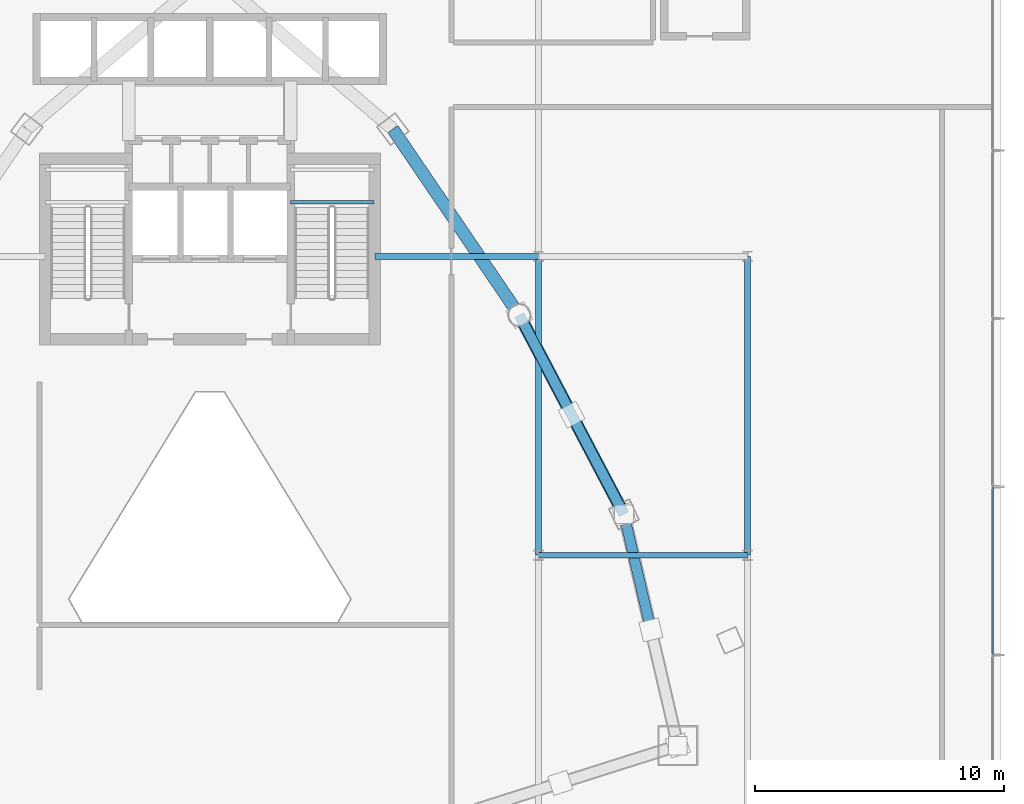
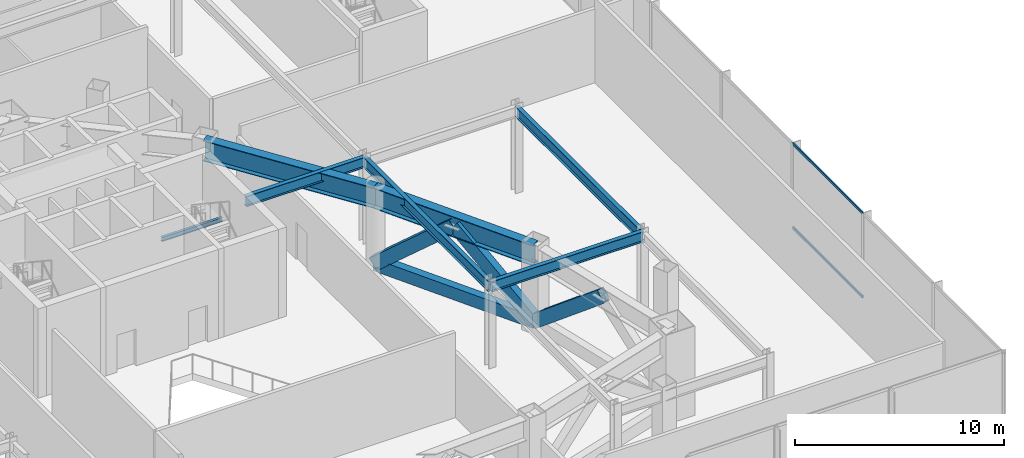
# One storey, part 18 of 43: 7 beams, 6 members, 1 element without a shape of its own.
"""IFC4 building model written with IfcOpenShell, lengths in metres."""

from ifc_helpers import new_model, si_unit, direction, frame, origin, origin_2d, place, context, subcontext, project, spatial, hollow_rectangle, i_section, extrude, material, layer, layer_set, material_profile, profile_set, type_object, element, aggregate, save


model = new_model("IFC4")

# Units and contexts
model_context = context("Model", 3, precision=1e-05, world=origin(), true_north=direction((0.0, 1.0)))
body_context = subcontext(model_context, "Body", "Model", "MODEL_VIEW")
ifc_project = project(units=[si_unit("LENGTHUNIT", "METRE"), si_unit("AREAUNIT", "SQUARE_METRE"), si_unit("VOLUMEUNIT", "CUBIC_METRE"), si_unit("PLANEANGLEUNIT", "RADIAN"), si_unit("MASSUNIT", "GRAM", prefix="KILO")], contexts=[model_context])

# Site, building, storey
site_placement = place(None, origin())
site = spatial("IfcSite", under=ifc_project, at=site_placement, CompositionType="ELEMENT")
building_placement = place(site_placement, origin())
building = spatial("IfcBuilding", under=site, at=building_placement, Name="Orvanel Arch Residences", CompositionType="ELEMENT")
storey_placement = place(building_placement, frame((0.0, 0.0, 18.39990234375)))
storey = spatial("IfcBuildingStorey", under=building, at=storey_placement, Name="L04", CompositionType="ELEMENT", Elevation=18.39990234375)

# Beams
ifc_material_1 = material(Name="Structural steel AS/NZS 3679.1 Grade 300 (300 MPa)", Category="steel")
ifc_material_profile_1 = material_profile(ifc_material_1, i_section(OverallWidth=0.22900390625, OverallDepth=0.612060546875, WebThickness=0.011962890625, FlangeThickness=0.01953125, at=origin_2d()), Name="610UB125")
ifc_profile_set_1 = profile_set([ifc_material_profile_1], Name="Structural steel AS/NZS 3679.1 Grade 300 (300 MPa)")
beam_type_1 = type_object("IfcBeamType", Name="BG-610UB", PredefinedType="BEAM", material=ifc_profile_set_1)
beam_1_placement = place(storey_placement, frame((46.199951171875, 18.0, 4.654052734375), z_axis=(1.0, 0.0, 0.0), x_axis=(0.0, 1.0, 0.0)))
element("IfcBeam", 1, at=beam_1_placement, inside=storey, type_object=beam_type_1, Name="L04 BG-610UB beam", PredefinedType="BEAM", context=body_context, shape_type="SweptSolid", body=[
    extrude(i_section(OverallWidth=0.22900390625, OverallDepth=0.612060546875, WebThickness=0.011962890625, FlangeThickness=0.01953125, at=origin_2d()), origin(), (0.0, 0.0, 1.0), 8.400146484375),
])
beam_2_placement = place(storey_placement, frame((39.625, 30.0, 4.654052734375), z_axis=(1.0, 0.0, 0.0), x_axis=(0.0, 1.0, 0.0)))
element("IfcBeam", 2, at=beam_2_placement, inside=storey, type_object=beam_type_1, Name="L04 BG-610UB beam", PredefinedType="BEAM", context=body_context, shape_type="SweptSolid", body=[
    extrude(i_section(OverallWidth=0.22900390625, OverallDepth=0.612060546875, WebThickness=0.011962890625, FlangeThickness=0.01953125, at=origin_2d()), origin(), (0.0, 0.0, 1.0), 6.574951171875),
])
for number, where, z_axis, x_axis, name in (
    (3, (46.199951171875, 18.0, 4.654052734375), (0.0, 1.0, 0.0), (-1.0, 0.0, 0.0), "L04 North-South Podium Girder XE46-M"),
    (4, (54.60009765625, 18.0, 4.654052734375), (0.0, 1.0, 0.0), (-1.0, 0.0, 0.0), "L04 North-South Podium Girder XE55-M"),
):
    element("IfcBeam", number, at=place(storey_placement, frame(where, z_axis=z_axis, x_axis=x_axis)), inside=storey, type_object=beam_type_1, Name=name, PredefinedType="BEAM", context=body_context, shape_type="SweptSolid", body=[
        extrude(i_section(OverallWidth=0.22900390625, OverallDepth=0.612060546875, WebThickness=0.011962890625, FlangeThickness=0.01953125, at=origin_2d()), origin(), (0.0, 0.0, 1.0), 12.0),
    ])
ifc_material_profile_2 = material_profile(ifc_material_1, i_section(OverallWidth=0.14599609375, OverallDepth=0.251953125, WebThickness=0.006103515625, FlangeThickness=0.008544921875, at=origin_2d()), Name="250UB31.4")
ifc_profile_set_2 = profile_set([ifc_material_profile_2], Name="Structural steel AS/NZS 3679.1 Grade 300 (300 MPa)")
beam_type_2 = type_object("IfcBeamType", Name="BJ-250UB", PredefinedType="JOIST", material=ifc_profile_set_2)
beam_3_placement = place(storey_placement, frame((36.25, 32.179931640625, 2.274169921875), z_axis=(1.0, 0.0, 0.0), x_axis=(0.0, 1.0, 0.0)))
element("IfcBeam", 5, at=beam_3_placement, inside=storey, type_object=beam_type_2, Name="L04 ST-2 Half-Landing Support Beam 1.1", PredefinedType="JOIST", context=body_context, shape_type="SweptSolid", body=[
    extrude(i_section(OverallWidth=0.14599609375, OverallDepth=0.251953125, WebThickness=0.006103515625, FlangeThickness=0.008544921875, at=origin_2d()), origin(), (0.0, 0.0, 1.0), 3.35009765625),
])

# Members
ifc_material_2 = material(Name="Structural steel AS/NZS 3678 Grade 350", Category="steel")
ifc_material_profile_3 = material_profile(ifc_material_2, hollow_rectangle(XDim=0.419921875, YDim=0.719970703125, WallThickness=0.02490234375, at=origin_2d()), Name="RHS720x420x25")
ifc_profile_set_3 = profile_set([ifc_material_profile_3], Name="Structural steel AS/NZS 3678 Grade 350")
member_type_1 = type_object("IfcMemberType", Name="BR-720RHS", PredefinedType="BRACE", material=ifc_profile_set_3)
member_1_placement = place(storey_placement, frame((49.633056640625, 19.64208984375, 0.4501953125), z_axis=(0.17575614743, -0.753138842569, 0.633949257003), x_axis=(0.973834413485, 0.227258740454, 0.0)))
element("IfcMember", 6, at=member_1_placement, inside=storey, type_object=member_type_1, Name="L04 Transfer Truss Chevron Web 05.2", PredefinedType="BRACE", context=body_context, shape_type="SweptSolid", body=[
    extrude(hollow_rectangle(XDim=0.419921875, YDim=0.719970703125, WallThickness=0.02490234375, at=origin_2d()), origin(), (0.0, 0.0, 1.0), 6.16748046875),
])
member_2_placement = place(storey_placement, frame((49.633056640625, 19.64208984375, 0.4501953125), z_axis=(-0.351637815677, 0.669443873118, 0.654366676513), x_axis=(-0.885300033521, -0.465020269072, 0.0)))
element("IfcMember", 7, at=member_2_placement, inside=storey, type_object=member_type_1, Name="L04 Transfer Truss Chevron Web 06.1", PredefinedType="BRACE", context=body_context, shape_type="SweptSolid", body=[
    extrude(hollow_rectangle(XDim=0.419921875, YDim=0.719970703125, WallThickness=0.02490234375, at=origin_2d()), origin(), (0.0, 0.0, 1.0), 5.97509765625),
])
member_3_placement = place(storey_placement, frame((45.430908203125, 27.64111328125, 0.4501953125), z_axis=(0.351676290996, -0.669353665641, 0.654438275656), x_axis=(0.885253281653, 0.465109263853, 0.0)))
element("IfcMember", 8, at=member_3_placement, inside=storey, type_object=member_type_1, Name="L04 Transfer Truss Chevron Web 06.2", PredefinedType="BRACE", context=body_context, shape_type="SweptSolid", body=[
    extrude(hollow_rectangle(XDim=0.419921875, YDim=0.719970703125, WallThickness=0.02490234375, at=origin_2d()), origin(), (0.0, 0.0, 1.0), 5.974365234375),
])
ifc_material_profile_4 = material_profile(ifc_material_2, hollow_rectangle(XDim=0.419921875, YDim=0.719970703125, WallThickness=0.02490234375, at=origin_2d()), Name="RHS720x420x25")
ifc_profile_set_4 = profile_set([ifc_material_profile_4], Name="Structural steel AS/NZS 3678 Grade 350")
member_type_2 = type_object("IfcMemberType", Name="CH-720RHS", PredefinedType="CHORD", material=ifc_profile_set_4)
member_4_placement = place(storey_placement, frame((49.633056640625, 19.64208984375, 0.4501953125), z_axis=(-0.465064762793, 0.885276660942, 0.0), x_axis=(-0.885276660942, -0.465064762793, 0.0)))
element("IfcMember", 9, at=member_4_placement, inside=storey, type_object=member_type_2, Name="L04 Transfer Truss Bottom Chord 06", PredefinedType="CHORD", context=body_context, shape_type="SweptSolid", body=[
    extrude(hollow_rectangle(XDim=0.419921875, YDim=0.719970703125, WallThickness=0.02490234375, at=origin_2d()), origin(), (0.0, 0.0, 1.0), 9.03564453125),
])

# Beams
ifc_material_profile_5 = material_profile(ifc_material_2, i_section(OverallWidth=0.5, OverallDepth=1.199951171875, WebThickness=0.02001953125, FlangeThickness=0.035888671875, at=origin_2d()), Name="1200WB455")
ifc_profile_set_5 = profile_set([ifc_material_profile_5], Name="Structural steel AS/NZS 3678 Grade 350")
beam_type_3 = type_object("IfcBeamType", Name="TG-1200WB", PredefinedType="USERDEFINED", material=ifc_profile_set_5)
beam_4_placement = place(storey_placement, frame((49.633056640625, 19.64208984375, 4.360107421875), z_axis=(-0.465064762793, 0.885276660942, 0.0), x_axis=(-0.885276660942, -0.465064762793, 0.0)))
element("IfcBeam", 10, at=beam_4_placement, inside=storey, type_object=beam_type_3, Name="L04 Podium Transfer Belt Girder 06", ObjectType="TRANSFER GIRDER", PredefinedType="USERDEFINED", context=body_context, shape_type="SweptSolid", body=[
    extrude(i_section(OverallWidth=0.5, OverallDepth=1.199951171875, WebThickness=0.02001953125, FlangeThickness=0.035888671875, at=origin_2d()), origin(), (0.0, 0.0, 1.0), 9.03564453125),
])
beam_5_placement = place(storey_placement, frame((45.430908203125, 27.64111328125, 4.360107421875), z_axis=(-0.562154793153, 0.827032035978, 0.0), x_axis=(-0.827032035978, -0.562154793153, 0.0)))
element("IfcBeam", 11, at=beam_5_placement, inside=storey, type_object=beam_type_3, Name="L04 Podium Transfer Belt Girder 07", ObjectType="TRANSFER GIRDER", PredefinedType="USERDEFINED", context=body_context, shape_type="SweptSolid", body=[
    extrude(i_section(OverallWidth=0.5, OverallDepth=1.199951171875, WebThickness=0.02001953125, FlangeThickness=0.035888671875, at=origin_2d()), origin(), (0.0, 0.0, 1.0), 9.03466796875),
])

# Curtain wall, members
ifc_material_3 = material(Name="Bronze-anodised aluminium AA6063-T6", Category="aluminium")
ifc_layer = layer(ifc_material_3, 0.199951171875)
ifc_layer_set = layer_set([ifc_layer], Name="Bronze-anodised aluminium AA6063-T6")
curtain_wall_type = type_object("IfcCurtainWallType", Name="CW1-POD-SYS", PredefinedType="NOTDEFINED", material=ifc_layer_set)
curtain_wall_placement = place(storey_placement, origin())
curtain_wall = element("IfcCurtainWall", 12, at=curtain_wall_placement, inside=storey, type_object=curtain_wall_type, Name="L04 CW1-POD-SYS Unitised Curtain Wall", PredefinedType="NOTDEFINED")
ifc_material_profile_6 = material_profile(ifc_material_3, hollow_rectangle(XDim=0.06494140625, YDim=0.14990234375, WallThickness=0.00390625, at=origin_2d()), Name="ALU150x65x4")
ifc_profile_set_6 = profile_set([ifc_material_profile_6], Name="Bronze-anodised aluminium AA6063-T6")
member_type_3 = type_object("IfcMemberType", Name="TRN-150x65", PredefinedType="USERDEFINED", material=ifc_profile_set_6)
member_5_placement = place(storey_placement, frame((64.449951171875, 14.032470703125, 0.03271484375), z_axis=(0.0, 1.0, 0.0), x_axis=(-1.0, 0.0, 0.0)))
member_5 = element("IfcMember", 13, at=member_5_placement, type_object=member_type_3, Name="CW-S1 transom 3.1", ObjectType="TRANSOM", PredefinedType="USERDEFINED", context=body_context, shape_type="SweptSolid", body=[
    extrude(hollow_rectangle(XDim=0.06494140625, YDim=0.14990234375, WallThickness=0.00390625, at=origin_2d()), origin(), (0.0, 0.0, 1.0), 6.677490234375),
])
member_6_placement = place(storey_placement, frame((64.449951171875, 14.032470703125, 4.927490234375), z_axis=(0.0, 1.0, 0.0), x_axis=(-1.0, 0.0, 0.0)))
member_6 = element("IfcMember", 14, at=member_6_placement, type_object=member_type_3, Name="CW-S1 transom 3.2", ObjectType="TRANSOM", PredefinedType="USERDEFINED", context=body_context, shape_type="SweptSolid", body=[
    extrude(hollow_rectangle(XDim=0.06494140625, YDim=0.14990234375, WallThickness=0.00390625, at=origin_2d()), origin(), (0.0, 0.0, 1.0), 6.677490234375),
])
aggregate(curtain_wall, [member_5, member_6])

save(model, "model.ifc")
